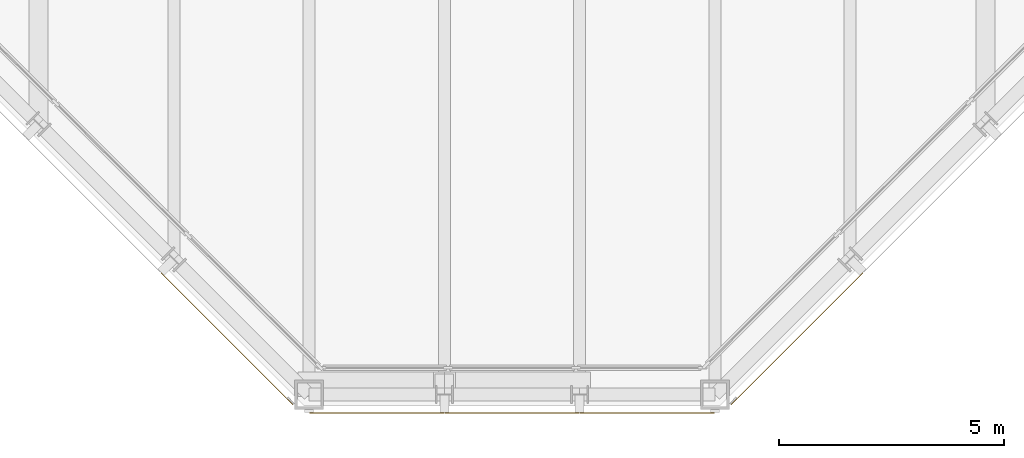
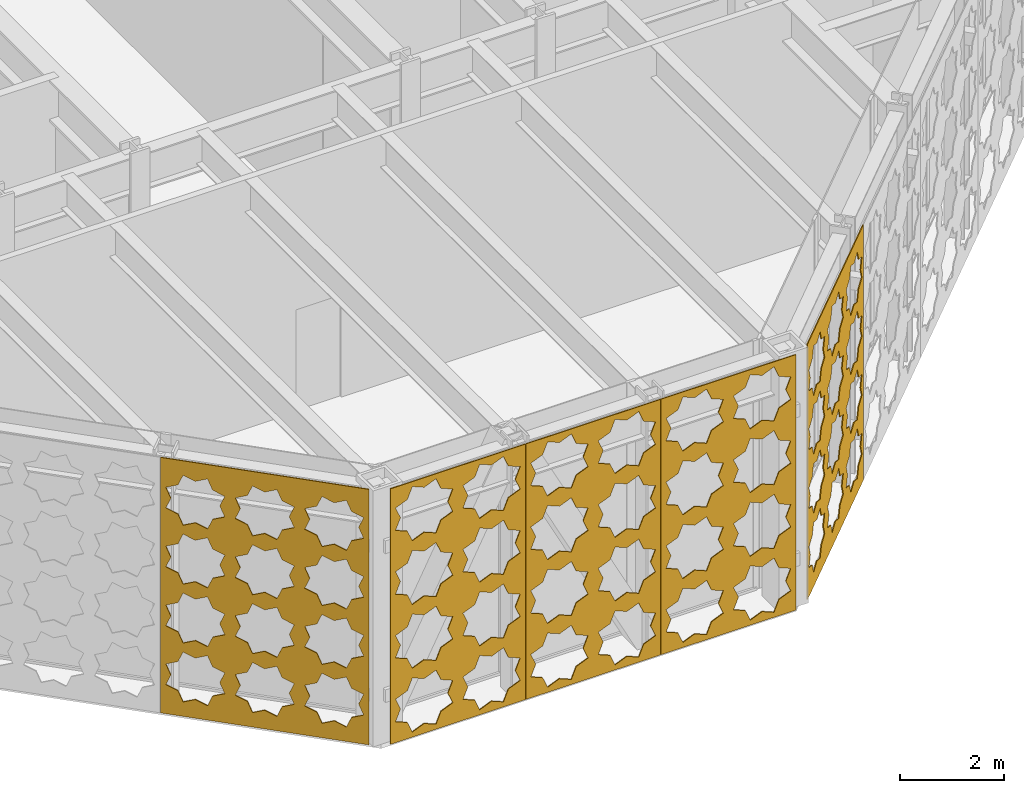
# One storey, part 21 of 28: 5 coverings.
"""IFC4 building model written with IfcOpenShell, lengths in metres."""

import ifcopenshell
import ifcopenshell.guid

model = None  # the IFC model being written
_history = None  # IfcOwnerHistory: only IFC2X3 demands one
_inside = {}  # id of a spatial element -> (the spatial element, [elements in it])
_under = {}  # id of a project, library or spatial element -> (it, [spatial elements below it])
_declared = {}  # id of a project -> (the project, [libraries it declares])
_typed = {}  # id of a type object -> (the type object, [elements of that type])
_made_of = {}  # id of a material, layer set ... -> (it, [elements and type objects made of it])


def new_model(schema):
    """Start an empty IFC model of exactly this schema.

    Asked for "IFC4X3", IfcOpenShell would pick the latest addendum, in which some entities
    have other attributes; the version numbers below select the first issue.
    IFC2X3 requires an IfcOwnerHistory on every rooted entity: one is made here for all.
    """
    global model, _history
    if schema == "IFC4X3":
        model = ifcopenshell.file(schema_version=(4, 3, 0, 0))
    else:
        model = ifcopenshell.file(schema=schema)
    _inside.clear()
    _under.clear()
    _declared.clear()
    _typed.clear()
    _made_of.clear()
    _history = None
    if model.schema == "IFC2X3":
        org = make("IfcOrganization", Name="unknown")
        user = make(
            "IfcPersonAndOrganization",
            ThePerson=make("IfcPerson", FamilyName="unknown"),
            TheOrganization=org,
        )
        app = make(
            "IfcApplication",
            ApplicationDeveloper=org,
            Version="unknown",
            ApplicationFullName="unknown",
            ApplicationIdentifier="unknown",
        )
        _history = make(
            "IfcOwnerHistory",
            OwningUser=user,
            OwningApplication=app,
            ChangeAction="ADDED",
            CreationDate=0,
        )
    return model


def make(cls, **values):
    """One entity of the class cls with the attributes given. An attribute that is None is left unset."""
    return model.create_entity(
        cls, **{name: value for name, value in values.items() if value is not None}
    )


def rooted(cls, **values):
    """An entity with a GlobalId (a new one), such as an element, a storey or a relation."""
    return make(cls, GlobalId=ifcopenshell.guid.new(), OwnerHistory=_history, **values)


def si_unit(unit_type, name, prefix=None):
    """IfcSIUnit, for example si_unit("LENGTHUNIT", "METRE", prefix="MILLI")."""
    return make("IfcSIUnit", UnitType=unit_type, Prefix=prefix, Name=name)


def assignment(units):
    """IfcUnitAssignment: the units of a project."""
    return None if units is None else make("IfcUnitAssignment", Units=units)


def point(xyz):
    """IfcCartesianPoint."""
    return None if xyz is None else make("IfcCartesianPoint", Coordinates=xyz)


def direction(xyz):
    """IfcDirection."""
    return None if xyz is None else make("IfcDirection", DirectionRatios=xyz)


def frame(location, z_axis=None, x_axis=None):
    """IfcAxis2Placement3D, a coordinate frame: its origin and axes. An axis left out is left unset."""
    return make(
        "IfcAxis2Placement3D",
        Location=point(location),
        Axis=direction(z_axis),
        RefDirection=direction(x_axis),
    )


def origin():
    """The frame at (0, 0, 0) with its axes left unset."""
    return frame((0.0, 0.0, 0.0))


def place(relative_to, where):
    """IfcLocalPlacement: puts the frame where relative to a parent placement (None: the world)."""
    return make(
        "IfcLocalPlacement", PlacementRelTo=relative_to, RelativePlacement=where
    )


def context(
    kind, dimensions, precision=None, world=None, true_north=None, identifier=None
):
    """IfcGeometricRepresentationContext, for example the 3D "Model" context."""
    return make(
        "IfcGeometricRepresentationContext",
        ContextIdentifier=identifier,
        ContextType=kind,
        CoordinateSpaceDimension=dimensions,
        Precision=precision,
        WorldCoordinateSystem=world,
        TrueNorth=true_north,
    )


def subcontext(parent, identifier, kind, view, scale=None):
    """IfcGeometricRepresentationSubContext, for example "Body" below "Model"."""
    return make(
        "IfcGeometricRepresentationSubContext",
        ContextIdentifier=identifier,
        ContextType=kind,
        ParentContext=parent,
        TargetScale=scale,
        TargetView=view,
    )


def project(units=None, contexts=None):
    """IfcProject with its units and contexts."""
    return rooted(
        "IfcProject",
        Name="project",
        RepresentationContexts=contexts,
        UnitsInContext=assignment(units),
    )


def spatial(cls, under=None, at=None, **own):
    """A site, building, storey or space (cls), placed at a placement, below another one or the project."""
    s = rooted(cls, ObjectPlacement=at, **own)
    if under is not None:
        _under.setdefault(under.id(), (under, []))[1].append(s)
    return s


def polyline(points):
    """IfcPolyline through the points."""
    return make("IfcPolyline", Points=[point(p) for p in points])


def outline(outer, holes=None, kind="AREA"):
    """IfcArbitraryClosedProfileDef: a profile drawn as a closed curve; with holes, ...WithVoids."""
    if holes is None:
        return make("IfcArbitraryClosedProfileDef", ProfileType=kind, OuterCurve=outer)
    return make(
        "IfcArbitraryProfileDefWithVoids",
        ProfileType=kind,
        OuterCurve=outer,
        InnerCurves=holes,
    )


def extrude(swept, where, along, depth):
    """IfcExtrudedAreaSolid: the profile swept, set in the frame where, extruded along a direction by depth."""
    return make(
        "IfcExtrudedAreaSolid",
        SweptArea=swept,
        Position=where,
        ExtrudedDirection=direction(along),
        Depth=depth,
    )


def shape(context_of_items, identifier, shape_type, items):
    """IfcShapeRepresentation: the items that make up one representation, for example the "Body"."""
    return make(
        "IfcShapeRepresentation",
        ContextOfItems=context_of_items,
        RepresentationIdentifier=identifier,
        RepresentationType=shape_type,
        Items=items,
    )


def material(Name=None, Category=None):
    """IfcMaterial."""
    return make("IfcMaterial", Name=Name, Category=Category)


def layer(
    of_material, thickness, ventilated=None, Name=None, Category=None, Priority=None
):
    """IfcMaterialLayer: one layer of a wall or slab, of a material (None: an air gap)."""
    return make(
        "IfcMaterialLayer",
        Material=of_material,
        LayerThickness=thickness,
        IsVentilated=ventilated,
        Name=Name,
        Category=Category,
        Priority=Priority,
    )


def layer_set(layers, Name=None):
    """IfcMaterialLayerSet."""
    return make("IfcMaterialLayerSet", MaterialLayers=layers, LayerSetName=Name)


def made_of(thing, what):
    """Note that an element or type object is made of a material, layer set ...; save() writes the relation."""
    if what is not None:
        _made_of.setdefault(what.id(), (what, []))[1].append(thing)
    return thing


def type_object(cls, material=None, **own):
    """A type object (cls), such as IfcWallType, which elements share."""
    return made_of(rooted(cls, **own), material)


def element(
    cls,
    number,
    at=None,
    inside=None,
    cuts=None,
    type_object=None,
    material=None,
    context=None,
    identifier="Body",
    shape_type=None,
    held_by="IfcProductDefinitionShape",
    body=None,
    shapes=None,
    **own,
):
    """One element of the class cls, such as IfcWall. Its Tag is "e" and its number.

    at: its placement. inside: the storey or other place that contains it. cuts: it is an
    opening in that element (IfcRelVoidsElement). A single representation is given by context,
    identifier, shape_type and body (its items); several are given by shapes. held_by: the class
    of the entity that holds the representations. save() writes the other relations.
    """
    e = rooted(cls, Tag="e%d" % number, ObjectPlacement=at, **own)
    if body is not None:
        shapes = [shape(context, identifier, shape_type, body)]
    if shapes is not None:
        e.Representation = make(held_by, Representations=shapes)
    if inside is not None:
        _inside.setdefault(inside.id(), (inside, []))[1].append(e)
    if cuts is not None:
        rooted(
            "IfcRelVoidsElement", RelatingBuildingElement=cuts, RelatedOpeningElement=e
        )
    if type_object is not None:
        _typed.setdefault(type_object.id(), (type_object, []))[1].append(e)
    return made_of(e, material)


def aggregate(whole, parts):
    """IfcRelAggregates: a whole, such as a stair, and the parts it consists of."""
    return rooted("IfcRelAggregates", RelatingObject=whole, RelatedObjects=parts)


def save(model, path):
    """Write the relations noted so far, then the file.

    IfcRelAggregates (storeys below a building ...), IfcRelContainedInSpatialStructure (elements
    in a storey), IfcRelDefinesByType, IfcRelAssociatesMaterial and IfcRelDeclares: one each for
    every whole, place, type object, material and project.
    """
    for whole, parts in _under.values():
        aggregate(whole, parts)
    for where, things in _inside.values():
        rooted(
            "IfcRelContainedInSpatialStructure",
            RelatedElements=things,
            RelatingStructure=where,
        )
    for kind, things in _typed.values():
        rooted("IfcRelDefinesByType", RelatedObjects=things, RelatingType=kind)
    for what, things in _made_of.values():
        rooted("IfcRelAssociatesMaterial", RelatedObjects=things, RelatingMaterial=what)
    for by, libraries in _declared.values():
        rooted("IfcRelDeclares", RelatingContext=by, RelatedDefinitions=libraries)
    model.write(path)


model = new_model("IFC4")

# Units and contexts
model_context = context("Model", 3, precision=1e-05, world=origin(), true_north=direction((0.0, 1.0)))
body_context = subcontext(model_context, "Body", "Model", "MODEL_VIEW")
ifc_project = project(units=[si_unit("LENGTHUNIT", "METRE"), si_unit("AREAUNIT", "SQUARE_METRE"), si_unit("VOLUMEUNIT", "CUBIC_METRE"), si_unit("PLANEANGLEUNIT", "RADIAN"), si_unit("MASSUNIT", "GRAM", prefix="KILO")], contexts=[model_context])

# Site, building, storey
site_placement = place(None, origin())
site = spatial("IfcSite", under=ifc_project, at=site_placement, CompositionType="ELEMENT")
building_placement = place(site_placement, origin())
building = spatial("IfcBuilding", under=site, at=building_placement, Name="Chuquiago Exchange Tower", CompositionType="ELEMENT")
storey_placement = place(building_placement, frame((0.0, 0.0, 300.0)))
storey = spatial("IfcBuildingStorey", under=building, at=storey_placement, Name="L67", CompositionType="ELEMENT", Elevation=300.0)

# Coverings
ifc_material_1 = material(Name="Anodised aluminium, pale", Category="aluminium")
ifc_layer_1 = layer(ifc_material_1, 0.02001953125)
ifc_layer_set_1 = layer_set([ifc_layer_1], Name="GC3 girih cladding panel 20")
covering_type_1 = type_object("IfcCoveringType", Name="GC3 girih cladding panel 20", PredefinedType="CLADDING", material=ifc_layer_set_1)
covering_1_placement = place(storey_placement, frame((18.0048828125, -0.39990234375, 0.0048828125), z_axis=(0.0, 0.0, 1.0), x_axis=(1.0, 0.0, 0.0)))
element("IfcCovering", 1, at=covering_1_placement, inside=storey, type_object=covering_type_1, Name="Girih cladding panel L67 S 1", PredefinedType="CLADDING", context=body_context, shape_type="SweptSolid", body=[
    extrude(outline(polyline([(0.0, 0.0), (2.989990234375, 0.0), (2.989990234375, 5.990234375), (0.0, 5.990234375), (0.0, 0.0)]), holes=[polyline([(1.27392578125, 0.752685546875), (1.3828125, 1.015869140625), (1.11962890625, 1.124755859375), (1.0107421875, 1.387939453125), (0.74755859375, 1.279052734375), (0.484375, 1.387939453125), (0.375244140625, 1.124755859375), (0.112060546875, 1.015869140625), (0.22119140625, 0.752685546875), (0.112060546875, 0.489501953125), (0.375244140625, 0.38037109375), (0.484375, 0.1171875), (0.74755859375, 0.226318359375), (1.0107421875, 0.1171875), (1.11962890625, 0.38037109375), (1.3828125, 0.489501953125), (1.27392578125, 0.752685546875)]), polyline([(2.768798828125, 0.752685546875), (2.8779296875, 1.015869140625), (2.61474609375, 1.124755859375), (2.505615234375, 1.387939453125), (2.242431640625, 1.279052734375), (1.979248046875, 1.387939453125), (1.870361328125, 1.124755859375), (1.607177734375, 1.015869140625), (1.716064453125, 0.752685546875), (1.607177734375, 0.489501953125), (1.870361328125, 0.38037109375), (1.979248046875, 0.1171875), (2.242431640625, 0.226318359375), (2.505615234375, 0.1171875), (2.61474609375, 0.38037109375), (2.8779296875, 0.489501953125), (2.768798828125, 0.752685546875)]), polyline([(1.27392578125, 2.24755859375), (1.3828125, 2.5107421875), (1.11962890625, 2.619873046875), (1.0107421875, 2.883056640625), (0.74755859375, 2.77392578125), (0.484375, 2.883056640625), (0.375244140625, 2.619873046875), (0.112060546875, 2.5107421875), (0.22119140625, 2.24755859375), (0.112060546875, 1.984375), (0.375244140625, 1.87548828125), (0.484375, 1.6123046875), (0.74755859375, 1.72119140625), (1.0107421875, 1.6123046875), (1.11962890625, 1.87548828125), (1.3828125, 1.984375), (1.27392578125, 2.24755859375)]), polyline([(2.768798828125, 2.24755859375), (2.8779296875, 2.5107421875), (2.61474609375, 2.619873046875), (2.505615234375, 2.883056640625), (2.242431640625, 2.77392578125), (1.979248046875, 2.883056640625), (1.870361328125, 2.619873046875), (1.607177734375, 2.5107421875), (1.716064453125, 2.24755859375), (1.607177734375, 1.984375), (1.870361328125, 1.87548828125), (1.979248046875, 1.6123046875), (2.242431640625, 1.72119140625), (2.505615234375, 1.6123046875), (2.61474609375, 1.87548828125), (2.8779296875, 1.984375), (2.768798828125, 2.24755859375)]), polyline([(1.27392578125, 3.74267578125), (1.3828125, 4.005859375), (1.11962890625, 4.11474609375), (1.0107421875, 4.3779296875), (0.74755859375, 4.26904296875), (0.484375, 4.3779296875), (0.375244140625, 4.11474609375), (0.112060546875, 4.005859375), (0.22119140625, 3.74267578125), (0.112060546875, 3.4794921875), (0.375244140625, 3.370361328125), (0.484375, 3.107177734375), (0.74755859375, 3.21630859375), (1.0107421875, 3.107177734375), (1.11962890625, 3.370361328125), (1.3828125, 3.4794921875), (1.27392578125, 3.74267578125)]), polyline([(2.768798828125, 3.74267578125), (2.8779296875, 4.005859375), (2.61474609375, 4.11474609375), (2.505615234375, 4.3779296875), (2.242431640625, 4.26904296875), (1.979248046875, 4.3779296875), (1.870361328125, 4.11474609375), (1.607177734375, 4.005859375), (1.716064453125, 3.74267578125), (1.607177734375, 3.4794921875), (1.870361328125, 3.370361328125), (1.979248046875, 3.107177734375), (2.242431640625, 3.21630859375), (2.505615234375, 3.107177734375), (2.61474609375, 3.370361328125), (2.8779296875, 3.4794921875), (2.768798828125, 3.74267578125)]), polyline([(1.27392578125, 5.237548828125), (1.3828125, 5.500732421875), (1.11962890625, 5.60986328125), (1.0107421875, 5.873046875), (0.74755859375, 5.763916015625), (0.484375, 5.873046875), (0.375244140625, 5.60986328125), (0.112060546875, 5.500732421875), (0.22119140625, 5.237548828125), (0.112060546875, 4.974365234375), (0.375244140625, 4.865478515625), (0.484375, 4.602294921875), (0.74755859375, 4.711181640625), (1.0107421875, 4.602294921875), (1.11962890625, 4.865478515625), (1.3828125, 4.974365234375), (1.27392578125, 5.237548828125)]), polyline([(2.768798828125, 5.237548828125), (2.8779296875, 5.500732421875), (2.61474609375, 5.60986328125), (2.505615234375, 5.873046875), (2.242431640625, 5.763916015625), (1.979248046875, 5.873046875), (1.870361328125, 5.60986328125), (1.607177734375, 5.500732421875), (1.716064453125, 5.237548828125), (1.607177734375, 4.974365234375), (1.870361328125, 4.865478515625), (1.979248046875, 4.602294921875), (2.242431640625, 4.711181640625), (2.505615234375, 4.602294921875), (2.61474609375, 4.865478515625), (2.8779296875, 4.974365234375), (2.768798828125, 5.237548828125)])]), frame((0.0, 0.0, 0.0), z_axis=(0.0, -1.0, 0.0), x_axis=(1.0, 0.0, 0.0)), (0.0, 0.0, 1.0), 0.02001953125),
])
covering_2_placement = place(storey_placement, frame((21.0048828125, -0.39990234375, 0.0048828125), z_axis=(0.0, 0.0, 1.0), x_axis=(1.0, 0.0, 0.0)))
element("IfcCovering", 2, at=covering_2_placement, inside=storey, type_object=covering_type_1, Name="Girih cladding panel L67 S 2", PredefinedType="CLADDING", context=body_context, shape_type="SweptSolid", body=[
    extrude(outline(polyline([(0.0, 0.0), (2.989990234375, 0.0), (2.989990234375, 5.990234375), (0.0, 5.990234375), (0.0, 0.0)]), holes=[polyline([(1.27392578125, 0.752685546875), (1.3828125, 1.015869140625), (1.11962890625, 1.124755859375), (1.0107421875, 1.387939453125), (0.74755859375, 1.279052734375), (0.484375, 1.387939453125), (0.375244140625, 1.124755859375), (0.112060546875, 1.015869140625), (0.22119140625, 0.752685546875), (0.112060546875, 0.489501953125), (0.375244140625, 0.38037109375), (0.484375, 0.1171875), (0.74755859375, 0.226318359375), (1.0107421875, 0.1171875), (1.11962890625, 0.38037109375), (1.3828125, 0.489501953125), (1.27392578125, 0.752685546875)]), polyline([(2.768798828125, 0.752685546875), (2.8779296875, 1.015869140625), (2.61474609375, 1.124755859375), (2.505615234375, 1.387939453125), (2.242431640625, 1.279052734375), (1.979248046875, 1.387939453125), (1.870361328125, 1.124755859375), (1.607177734375, 1.015869140625), (1.716064453125, 0.752685546875), (1.607177734375, 0.489501953125), (1.870361328125, 0.38037109375), (1.979248046875, 0.1171875), (2.242431640625, 0.226318359375), (2.505615234375, 0.1171875), (2.61474609375, 0.38037109375), (2.8779296875, 0.489501953125), (2.768798828125, 0.752685546875)]), polyline([(1.27392578125, 2.24755859375), (1.3828125, 2.5107421875), (1.11962890625, 2.619873046875), (1.0107421875, 2.883056640625), (0.74755859375, 2.77392578125), (0.484375, 2.883056640625), (0.375244140625, 2.619873046875), (0.112060546875, 2.5107421875), (0.22119140625, 2.24755859375), (0.112060546875, 1.984375), (0.375244140625, 1.87548828125), (0.484375, 1.6123046875), (0.74755859375, 1.72119140625), (1.0107421875, 1.6123046875), (1.11962890625, 1.87548828125), (1.3828125, 1.984375), (1.27392578125, 2.24755859375)]), polyline([(2.768798828125, 2.24755859375), (2.8779296875, 2.5107421875), (2.61474609375, 2.619873046875), (2.505615234375, 2.883056640625), (2.242431640625, 2.77392578125), (1.979248046875, 2.883056640625), (1.870361328125, 2.619873046875), (1.607177734375, 2.5107421875), (1.716064453125, 2.24755859375), (1.607177734375, 1.984375), (1.870361328125, 1.87548828125), (1.979248046875, 1.6123046875), (2.242431640625, 1.72119140625), (2.505615234375, 1.6123046875), (2.61474609375, 1.87548828125), (2.8779296875, 1.984375), (2.768798828125, 2.24755859375)]), polyline([(1.27392578125, 3.74267578125), (1.3828125, 4.005859375), (1.11962890625, 4.11474609375), (1.0107421875, 4.3779296875), (0.74755859375, 4.26904296875), (0.484375, 4.3779296875), (0.375244140625, 4.11474609375), (0.112060546875, 4.005859375), (0.22119140625, 3.74267578125), (0.112060546875, 3.4794921875), (0.375244140625, 3.370361328125), (0.484375, 3.107177734375), (0.74755859375, 3.21630859375), (1.0107421875, 3.107177734375), (1.11962890625, 3.370361328125), (1.3828125, 3.4794921875), (1.27392578125, 3.74267578125)]), polyline([(2.768798828125, 3.74267578125), (2.8779296875, 4.005859375), (2.61474609375, 4.11474609375), (2.505615234375, 4.3779296875), (2.242431640625, 4.26904296875), (1.979248046875, 4.3779296875), (1.870361328125, 4.11474609375), (1.607177734375, 4.005859375), (1.716064453125, 3.74267578125), (1.607177734375, 3.4794921875), (1.870361328125, 3.370361328125), (1.979248046875, 3.107177734375), (2.242431640625, 3.21630859375), (2.505615234375, 3.107177734375), (2.61474609375, 3.370361328125), (2.8779296875, 3.4794921875), (2.768798828125, 3.74267578125)]), polyline([(1.27392578125, 5.237548828125), (1.3828125, 5.500732421875), (1.11962890625, 5.60986328125), (1.0107421875, 5.873046875), (0.74755859375, 5.763916015625), (0.484375, 5.873046875), (0.375244140625, 5.60986328125), (0.112060546875, 5.500732421875), (0.22119140625, 5.237548828125), (0.112060546875, 4.974365234375), (0.375244140625, 4.865478515625), (0.484375, 4.602294921875), (0.74755859375, 4.711181640625), (1.0107421875, 4.602294921875), (1.11962890625, 4.865478515625), (1.3828125, 4.974365234375), (1.27392578125, 5.237548828125)]), polyline([(2.768798828125, 5.237548828125), (2.8779296875, 5.500732421875), (2.61474609375, 5.60986328125), (2.505615234375, 5.873046875), (2.242431640625, 5.763916015625), (1.979248046875, 5.873046875), (1.870361328125, 5.60986328125), (1.607177734375, 5.500732421875), (1.716064453125, 5.237548828125), (1.607177734375, 4.974365234375), (1.870361328125, 4.865478515625), (1.979248046875, 4.602294921875), (2.242431640625, 4.711181640625), (2.505615234375, 4.602294921875), (2.61474609375, 4.865478515625), (2.8779296875, 4.974365234375), (2.768798828125, 5.237548828125)])]), frame((0.0, 0.0, 0.0), z_axis=(0.0, -1.0, 0.0), x_axis=(1.0, 0.0, 0.0)), (0.0, 0.0, 1.0), 0.02001953125),
])
covering_3_placement = place(storey_placement, frame((24.0048828125, -0.39990234375, 0.0048828125), z_axis=(0.0, 0.0, 1.0), x_axis=(1.0, 0.0, 0.0)))
element("IfcCovering", 3, at=covering_3_placement, inside=storey, type_object=covering_type_1, Name="Girih cladding panel L67 S 3", PredefinedType="CLADDING", context=body_context, shape_type="SweptSolid", body=[
    extrude(outline(polyline([(0.0, 0.0), (2.989990234375, 0.0), (2.989990234375, 5.990234375), (0.0, 5.990234375), (0.0, 0.0)]), holes=[polyline([(1.27392578125, 0.752685546875), (1.3828125, 1.015869140625), (1.11962890625, 1.124755859375), (1.0107421875, 1.387939453125), (0.74755859375, 1.279052734375), (0.484375, 1.387939453125), (0.375244140625, 1.124755859375), (0.112060546875, 1.015869140625), (0.22119140625, 0.752685546875), (0.112060546875, 0.489501953125), (0.375244140625, 0.38037109375), (0.484375, 0.1171875), (0.74755859375, 0.226318359375), (1.0107421875, 0.1171875), (1.11962890625, 0.38037109375), (1.3828125, 0.489501953125), (1.27392578125, 0.752685546875)]), polyline([(2.768798828125, 0.752685546875), (2.8779296875, 1.015869140625), (2.61474609375, 1.124755859375), (2.505615234375, 1.387939453125), (2.242431640625, 1.279052734375), (1.979248046875, 1.387939453125), (1.870361328125, 1.124755859375), (1.607177734375, 1.015869140625), (1.716064453125, 0.752685546875), (1.607177734375, 0.489501953125), (1.870361328125, 0.38037109375), (1.979248046875, 0.1171875), (2.242431640625, 0.226318359375), (2.505615234375, 0.1171875), (2.61474609375, 0.38037109375), (2.8779296875, 0.489501953125), (2.768798828125, 0.752685546875)]), polyline([(1.27392578125, 2.24755859375), (1.3828125, 2.5107421875), (1.11962890625, 2.619873046875), (1.0107421875, 2.883056640625), (0.74755859375, 2.77392578125), (0.484375, 2.883056640625), (0.375244140625, 2.619873046875), (0.112060546875, 2.5107421875), (0.22119140625, 2.24755859375), (0.112060546875, 1.984375), (0.375244140625, 1.87548828125), (0.484375, 1.6123046875), (0.74755859375, 1.72119140625), (1.0107421875, 1.6123046875), (1.11962890625, 1.87548828125), (1.3828125, 1.984375), (1.27392578125, 2.24755859375)]), polyline([(2.768798828125, 2.24755859375), (2.8779296875, 2.5107421875), (2.61474609375, 2.619873046875), (2.505615234375, 2.883056640625), (2.242431640625, 2.77392578125), (1.979248046875, 2.883056640625), (1.870361328125, 2.619873046875), (1.607177734375, 2.5107421875), (1.716064453125, 2.24755859375), (1.607177734375, 1.984375), (1.870361328125, 1.87548828125), (1.979248046875, 1.6123046875), (2.242431640625, 1.72119140625), (2.505615234375, 1.6123046875), (2.61474609375, 1.87548828125), (2.8779296875, 1.984375), (2.768798828125, 2.24755859375)]), polyline([(1.27392578125, 3.74267578125), (1.3828125, 4.005859375), (1.11962890625, 4.11474609375), (1.0107421875, 4.3779296875), (0.74755859375, 4.26904296875), (0.484375, 4.3779296875), (0.375244140625, 4.11474609375), (0.112060546875, 4.005859375), (0.22119140625, 3.74267578125), (0.112060546875, 3.4794921875), (0.375244140625, 3.370361328125), (0.484375, 3.107177734375), (0.74755859375, 3.21630859375), (1.0107421875, 3.107177734375), (1.11962890625, 3.370361328125), (1.3828125, 3.4794921875), (1.27392578125, 3.74267578125)]), polyline([(2.768798828125, 3.74267578125), (2.8779296875, 4.005859375), (2.61474609375, 4.11474609375), (2.505615234375, 4.3779296875), (2.242431640625, 4.26904296875), (1.979248046875, 4.3779296875), (1.870361328125, 4.11474609375), (1.607177734375, 4.005859375), (1.716064453125, 3.74267578125), (1.607177734375, 3.4794921875), (1.870361328125, 3.370361328125), (1.979248046875, 3.107177734375), (2.242431640625, 3.21630859375), (2.505615234375, 3.107177734375), (2.61474609375, 3.370361328125), (2.8779296875, 3.4794921875), (2.768798828125, 3.74267578125)]), polyline([(1.27392578125, 5.237548828125), (1.3828125, 5.500732421875), (1.11962890625, 5.60986328125), (1.0107421875, 5.873046875), (0.74755859375, 5.763916015625), (0.484375, 5.873046875), (0.375244140625, 5.60986328125), (0.112060546875, 5.500732421875), (0.22119140625, 5.237548828125), (0.112060546875, 4.974365234375), (0.375244140625, 4.865478515625), (0.484375, 4.602294921875), (0.74755859375, 4.711181640625), (1.0107421875, 4.602294921875), (1.11962890625, 4.865478515625), (1.3828125, 4.974365234375), (1.27392578125, 5.237548828125)]), polyline([(2.768798828125, 5.237548828125), (2.8779296875, 5.500732421875), (2.61474609375, 5.60986328125), (2.505615234375, 5.873046875), (2.242431640625, 5.763916015625), (1.979248046875, 5.873046875), (1.870361328125, 5.60986328125), (1.607177734375, 5.500732421875), (1.716064453125, 5.237548828125), (1.607177734375, 4.974365234375), (1.870361328125, 4.865478515625), (1.979248046875, 4.602294921875), (2.242431640625, 4.711181640625), (2.505615234375, 4.602294921875), (2.61474609375, 4.865478515625), (2.8779296875, 4.974365234375), (2.768798828125, 5.237548828125)])]), frame((0.0, 0.0, 0.0), z_axis=(0.0, -1.0, 0.0), x_axis=(1.0, 0.0, 0.0)), (0.0, 0.0, 1.0), 0.02001953125),
])
ifc_material_2 = material(Name="Anodised aluminium, pale", Category="aluminium")
ifc_layer_2 = layer(ifc_material_2, 0.02001953125)
ifc_layer_set_2 = layer_set([ifc_layer_2], Name="GC7 girih cladding panel 20")
covering_type_2 = type_object("IfcCoveringType", Name="GC7 girih cladding panel 20", PredefinedType="CLADDING", material=ifc_layer_set_2)
covering_4_placement = place(storey_placement, frame((27.35009765625, -0.2158203125, 0.0048828125), z_axis=(0.0, 0.0, 1.0), x_axis=(0.707106781187, 0.707106781187, 0.0)))
element("IfcCovering", 4, at=covering_4_placement, inside=storey, type_object=covering_type_2, Name="Girih cladding panel L67 SE 1", PredefinedType="CLADDING", context=body_context, shape_type="SweptSolid", body=[
    extrude(outline(polyline([(0.0, 0.0), (4.142578125, 0.0), (4.142578125, 5.990234375), (0.0, 5.990234375), (0.0, 0.0)]), holes=[polyline([(1.176513671875, 0.923828125), (1.27734375, 1.166748046875), (1.0341796875, 1.267578125), (0.93359375, 1.510498046875), (0.6904296875, 1.409912109375), (0.447509765625, 1.510498046875), (0.3466796875, 1.267578125), (0.103515625, 1.166748046875), (0.204345703125, 0.923828125), (0.103515625, 0.6806640625), (0.3466796875, 0.580078125), (0.447509765625, 0.3369140625), (0.6904296875, 0.4375), (0.93359375, 0.3369140625), (1.0341796875, 0.580078125), (1.27734375, 0.6806640625), (1.176513671875, 0.923828125)]), polyline([(2.5576171875, 0.923828125), (2.658203125, 1.166748046875), (2.4150390625, 1.267578125), (2.314453125, 1.510498046875), (2.0712890625, 1.409912109375), (1.828369140625, 1.510498046875), (1.7275390625, 1.267578125), (1.484619140625, 1.166748046875), (1.585205078125, 0.923828125), (1.484619140625, 0.6806640625), (1.7275390625, 0.580078125), (1.828369140625, 0.3369140625), (2.0712890625, 0.4375), (2.314453125, 0.3369140625), (2.4150390625, 0.580078125), (2.658203125, 0.6806640625), (2.5576171875, 0.923828125)]), polyline([(3.9384765625, 0.923828125), (4.0390625, 1.166748046875), (3.7958984375, 1.267578125), (3.6953125, 1.510498046875), (3.452392578125, 1.409912109375), (3.209228515625, 1.510498046875), (3.1083984375, 1.267578125), (2.865478515625, 1.166748046875), (2.966064453125, 0.923828125), (2.865478515625, 0.6806640625), (3.1083984375, 0.580078125), (3.209228515625, 0.3369140625), (3.452392578125, 0.4375), (3.6953125, 0.3369140625), (3.7958984375, 0.580078125), (4.0390625, 0.6806640625), (3.9384765625, 0.923828125)]), polyline([(1.176513671875, 2.3046875), (1.27734375, 2.547607421875), (1.0341796875, 2.6484375), (0.93359375, 2.8916015625), (0.6904296875, 2.790771484375), (0.447509765625, 2.8916015625), (0.3466796875, 2.6484375), (0.103515625, 2.547607421875), (0.204345703125, 2.3046875), (0.103515625, 2.0615234375), (0.3466796875, 1.9609375), (0.447509765625, 1.7177734375), (0.6904296875, 1.818603515625), (0.93359375, 1.7177734375), (1.0341796875, 1.9609375), (1.27734375, 2.0615234375), (1.176513671875, 2.3046875)]), polyline([(2.5576171875, 2.3046875), (2.658203125, 2.547607421875), (2.4150390625, 2.6484375), (2.314453125, 2.8916015625), (2.0712890625, 2.790771484375), (1.828369140625, 2.8916015625), (1.7275390625, 2.6484375), (1.484619140625, 2.547607421875), (1.585205078125, 2.3046875), (1.484619140625, 2.0615234375), (1.7275390625, 1.9609375), (1.828369140625, 1.7177734375), (2.0712890625, 1.818603515625), (2.314453125, 1.7177734375), (2.4150390625, 1.9609375), (2.658203125, 2.0615234375), (2.5576171875, 2.3046875)]), polyline([(3.9384765625, 2.3046875), (4.0390625, 2.547607421875), (3.7958984375, 2.6484375), (3.6953125, 2.8916015625), (3.452392578125, 2.790771484375), (3.209228515625, 2.8916015625), (3.1083984375, 2.6484375), (2.865478515625, 2.547607421875), (2.966064453125, 2.3046875), (2.865478515625, 2.0615234375), (3.1083984375, 1.9609375), (3.209228515625, 1.7177734375), (3.452392578125, 1.818603515625), (3.6953125, 1.7177734375), (3.7958984375, 1.9609375), (4.0390625, 2.0615234375), (3.9384765625, 2.3046875)]), polyline([(1.176513671875, 3.685546875), (1.27734375, 3.9287109375), (1.0341796875, 4.029296875), (0.93359375, 4.2724609375), (0.6904296875, 4.171630859375), (0.447509765625, 4.2724609375), (0.3466796875, 4.029296875), (0.103515625, 3.9287109375), (0.204345703125, 3.685546875), (0.103515625, 3.442626953125), (0.3466796875, 3.341796875), (0.447509765625, 3.0986328125), (0.6904296875, 3.199462890625), (0.93359375, 3.0986328125), (1.0341796875, 3.341796875), (1.27734375, 3.442626953125), (1.176513671875, 3.685546875)]), polyline([(2.5576171875, 3.685546875), (2.658203125, 3.9287109375), (2.4150390625, 4.029296875), (2.314453125, 4.2724609375), (2.0712890625, 4.171630859375), (1.828369140625, 4.2724609375), (1.7275390625, 4.029296875), (1.484619140625, 3.9287109375), (1.585205078125, 3.685546875), (1.484619140625, 3.442626953125), (1.7275390625, 3.341796875), (1.828369140625, 3.0986328125), (2.0712890625, 3.199462890625), (2.314453125, 3.0986328125), (2.4150390625, 3.341796875), (2.658203125, 3.442626953125), (2.5576171875, 3.685546875)]), polyline([(3.9384765625, 3.685546875), (4.0390625, 3.9287109375), (3.7958984375, 4.029296875), (3.6953125, 4.2724609375), (3.452392578125, 4.171630859375), (3.209228515625, 4.2724609375), (3.1083984375, 4.029296875), (2.865478515625, 3.9287109375), (2.966064453125, 3.685546875), (2.865478515625, 3.442626953125), (3.1083984375, 3.341796875), (3.209228515625, 3.0986328125), (3.452392578125, 3.199462890625), (3.6953125, 3.0986328125), (3.7958984375, 3.341796875), (4.0390625, 3.442626953125), (3.9384765625, 3.685546875)]), polyline([(1.176513671875, 5.06640625), (1.27734375, 5.3095703125), (1.0341796875, 5.41015625), (0.93359375, 5.6533203125), (0.6904296875, 5.552734375), (0.447509765625, 5.6533203125), (0.3466796875, 5.41015625), (0.103515625, 5.3095703125), (0.204345703125, 5.06640625), (0.103515625, 4.823486328125), (0.3466796875, 4.72265625), (0.447509765625, 4.479736328125), (0.6904296875, 4.580322265625), (0.93359375, 4.479736328125), (1.0341796875, 4.72265625), (1.27734375, 4.823486328125), (1.176513671875, 5.06640625)]), polyline([(2.5576171875, 5.06640625), (2.658203125, 5.3095703125), (2.4150390625, 5.41015625), (2.314453125, 5.6533203125), (2.0712890625, 5.552734375), (1.828369140625, 5.6533203125), (1.7275390625, 5.41015625), (1.484619140625, 5.3095703125), (1.585205078125, 5.06640625), (1.484619140625, 4.823486328125), (1.7275390625, 4.72265625), (1.828369140625, 4.479736328125), (2.0712890625, 4.580322265625), (2.314453125, 4.479736328125), (2.4150390625, 4.72265625), (2.658203125, 4.823486328125), (2.5576171875, 5.06640625)]), polyline([(3.9384765625, 5.06640625), (4.0390625, 5.3095703125), (3.7958984375, 5.41015625), (3.6953125, 5.6533203125), (3.452392578125, 5.552734375), (3.209228515625, 5.6533203125), (3.1083984375, 5.41015625), (2.865478515625, 5.3095703125), (2.966064453125, 5.06640625), (2.865478515625, 4.823486328125), (3.1083984375, 4.72265625), (3.209228515625, 4.479736328125), (3.452392578125, 4.580322265625), (3.6953125, 4.479736328125), (3.7958984375, 4.72265625), (4.0390625, 4.823486328125), (3.9384765625, 5.06640625)])]), frame((0.0, 0.0, 0.0), z_axis=(0.0, -1.0, 0.0), x_axis=(1.0, 0.0, 0.0)), (0.0, 0.0, 1.0), 0.02001953125),
])
covering_5_placement = place(storey_placement, frame((14.720703125, 2.713623046875, 0.0048828125), z_axis=(0.0, 0.0, 1.0), x_axis=(0.707106781187, -0.707106781187, 0.0)))
element("IfcCovering", 5, at=covering_5_placement, inside=storey, type_object=covering_type_2, Name="Girih cladding panel L67 SW 6", PredefinedType="CLADDING", context=body_context, shape_type="SweptSolid", body=[
    extrude(outline(polyline([(0.0, 0.0), (4.142578125, 0.0), (4.142578125, 5.990234375), (0.0, 5.990234375), (0.0, 0.0)]), holes=[polyline([(1.176513671875, 0.923828125), (1.27734375, 1.166748046875), (1.0341796875, 1.267578125), (0.93359375, 1.510498046875), (0.6904296875, 1.409912109375), (0.447509765625, 1.510498046875), (0.3466796875, 1.267578125), (0.103515625, 1.166748046875), (0.204345703125, 0.923828125), (0.103515625, 0.6806640625), (0.3466796875, 0.580078125), (0.447509765625, 0.3369140625), (0.6904296875, 0.4375), (0.93359375, 0.3369140625), (1.0341796875, 0.580078125), (1.27734375, 0.6806640625), (1.176513671875, 0.923828125)]), polyline([(2.5576171875, 0.923828125), (2.658203125, 1.166748046875), (2.4150390625, 1.267578125), (2.314453125, 1.510498046875), (2.0712890625, 1.409912109375), (1.828369140625, 1.510498046875), (1.7275390625, 1.267578125), (1.484619140625, 1.166748046875), (1.585205078125, 0.923828125), (1.484619140625, 0.6806640625), (1.7275390625, 0.580078125), (1.828369140625, 0.3369140625), (2.0712890625, 0.4375), (2.314453125, 0.3369140625), (2.4150390625, 0.580078125), (2.658203125, 0.6806640625), (2.5576171875, 0.923828125)]), polyline([(3.9384765625, 0.923828125), (4.0390625, 1.166748046875), (3.7958984375, 1.267578125), (3.6953125, 1.510498046875), (3.452392578125, 1.409912109375), (3.209228515625, 1.510498046875), (3.1083984375, 1.267578125), (2.865478515625, 1.166748046875), (2.966064453125, 0.923828125), (2.865478515625, 0.6806640625), (3.1083984375, 0.580078125), (3.209228515625, 0.3369140625), (3.452392578125, 0.4375), (3.6953125, 0.3369140625), (3.7958984375, 0.580078125), (4.0390625, 0.6806640625), (3.9384765625, 0.923828125)]), polyline([(1.176513671875, 2.3046875), (1.27734375, 2.547607421875), (1.0341796875, 2.6484375), (0.93359375, 2.8916015625), (0.6904296875, 2.790771484375), (0.447509765625, 2.8916015625), (0.3466796875, 2.6484375), (0.103515625, 2.547607421875), (0.204345703125, 2.3046875), (0.103515625, 2.0615234375), (0.3466796875, 1.9609375), (0.447509765625, 1.7177734375), (0.6904296875, 1.818603515625), (0.93359375, 1.7177734375), (1.0341796875, 1.9609375), (1.27734375, 2.0615234375), (1.176513671875, 2.3046875)]), polyline([(2.5576171875, 2.3046875), (2.658203125, 2.547607421875), (2.4150390625, 2.6484375), (2.314453125, 2.8916015625), (2.0712890625, 2.790771484375), (1.828369140625, 2.8916015625), (1.7275390625, 2.6484375), (1.484619140625, 2.547607421875), (1.585205078125, 2.3046875), (1.484619140625, 2.0615234375), (1.7275390625, 1.9609375), (1.828369140625, 1.7177734375), (2.0712890625, 1.818603515625), (2.314453125, 1.7177734375), (2.4150390625, 1.9609375), (2.658203125, 2.0615234375), (2.5576171875, 2.3046875)]), polyline([(3.9384765625, 2.3046875), (4.0390625, 2.547607421875), (3.7958984375, 2.6484375), (3.6953125, 2.8916015625), (3.452392578125, 2.790771484375), (3.209228515625, 2.8916015625), (3.1083984375, 2.6484375), (2.865478515625, 2.547607421875), (2.966064453125, 2.3046875), (2.865478515625, 2.0615234375), (3.1083984375, 1.9609375), (3.209228515625, 1.7177734375), (3.452392578125, 1.818603515625), (3.6953125, 1.7177734375), (3.7958984375, 1.9609375), (4.0390625, 2.0615234375), (3.9384765625, 2.3046875)]), polyline([(1.176513671875, 3.685546875), (1.27734375, 3.9287109375), (1.0341796875, 4.029296875), (0.93359375, 4.2724609375), (0.6904296875, 4.171630859375), (0.447509765625, 4.2724609375), (0.3466796875, 4.029296875), (0.103515625, 3.9287109375), (0.204345703125, 3.685546875), (0.103515625, 3.442626953125), (0.3466796875, 3.341796875), (0.447509765625, 3.0986328125), (0.6904296875, 3.199462890625), (0.93359375, 3.0986328125), (1.0341796875, 3.341796875), (1.27734375, 3.442626953125), (1.176513671875, 3.685546875)]), polyline([(2.5576171875, 3.685546875), (2.658203125, 3.9287109375), (2.4150390625, 4.029296875), (2.314453125, 4.2724609375), (2.0712890625, 4.171630859375), (1.828369140625, 4.2724609375), (1.7275390625, 4.029296875), (1.484619140625, 3.9287109375), (1.585205078125, 3.685546875), (1.484619140625, 3.442626953125), (1.7275390625, 3.341796875), (1.828369140625, 3.0986328125), (2.0712890625, 3.199462890625), (2.314453125, 3.0986328125), (2.4150390625, 3.341796875), (2.658203125, 3.442626953125), (2.5576171875, 3.685546875)]), polyline([(3.9384765625, 3.685546875), (4.0390625, 3.9287109375), (3.7958984375, 4.029296875), (3.6953125, 4.2724609375), (3.452392578125, 4.171630859375), (3.209228515625, 4.2724609375), (3.1083984375, 4.029296875), (2.865478515625, 3.9287109375), (2.966064453125, 3.685546875), (2.865478515625, 3.442626953125), (3.1083984375, 3.341796875), (3.209228515625, 3.0986328125), (3.452392578125, 3.199462890625), (3.6953125, 3.0986328125), (3.7958984375, 3.341796875), (4.0390625, 3.442626953125), (3.9384765625, 3.685546875)]), polyline([(1.176513671875, 5.06640625), (1.27734375, 5.3095703125), (1.0341796875, 5.41015625), (0.93359375, 5.6533203125), (0.6904296875, 5.552734375), (0.447509765625, 5.6533203125), (0.3466796875, 5.41015625), (0.103515625, 5.3095703125), (0.204345703125, 5.06640625), (0.103515625, 4.823486328125), (0.3466796875, 4.72265625), (0.447509765625, 4.479736328125), (0.6904296875, 4.580322265625), (0.93359375, 4.479736328125), (1.0341796875, 4.72265625), (1.27734375, 4.823486328125), (1.176513671875, 5.06640625)]), polyline([(2.5576171875, 5.06640625), (2.658203125, 5.3095703125), (2.4150390625, 5.41015625), (2.314453125, 5.6533203125), (2.0712890625, 5.552734375), (1.828369140625, 5.6533203125), (1.7275390625, 5.41015625), (1.484619140625, 5.3095703125), (1.585205078125, 5.06640625), (1.484619140625, 4.823486328125), (1.7275390625, 4.72265625), (1.828369140625, 4.479736328125), (2.0712890625, 4.580322265625), (2.314453125, 4.479736328125), (2.4150390625, 4.72265625), (2.658203125, 4.823486328125), (2.5576171875, 5.06640625)]), polyline([(3.9384765625, 5.06640625), (4.0390625, 5.3095703125), (3.7958984375, 5.41015625), (3.6953125, 5.6533203125), (3.452392578125, 5.552734375), (3.209228515625, 5.6533203125), (3.1083984375, 5.41015625), (2.865478515625, 5.3095703125), (2.966064453125, 5.06640625), (2.865478515625, 4.823486328125), (3.1083984375, 4.72265625), (3.209228515625, 4.479736328125), (3.452392578125, 4.580322265625), (3.6953125, 4.479736328125), (3.7958984375, 4.72265625), (4.0390625, 4.823486328125), (3.9384765625, 5.06640625)])]), frame((0.0, 0.0, 0.0), z_axis=(0.0, -1.0, 0.0), x_axis=(1.0, 0.0, 0.0)), (0.0, 0.0, 1.0), 0.02001953125),
])

save(model, "model.ifc")
